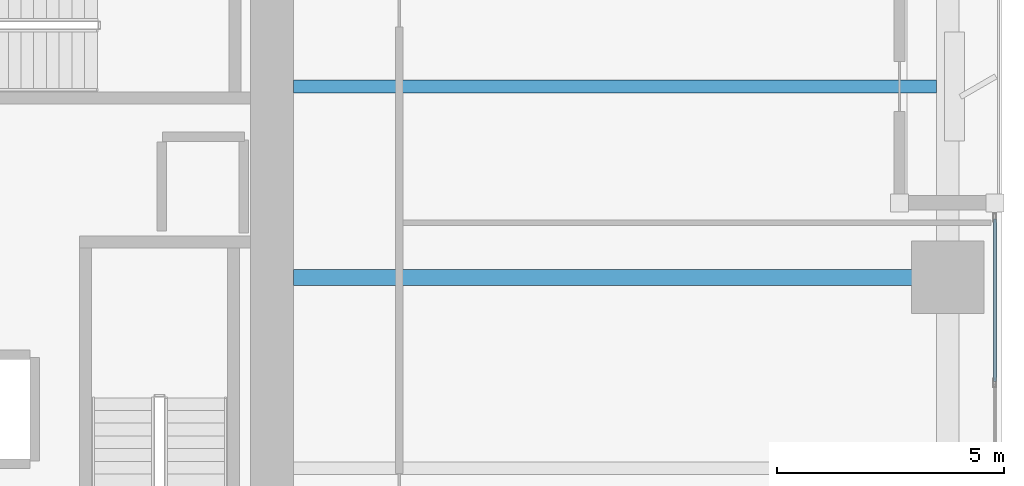
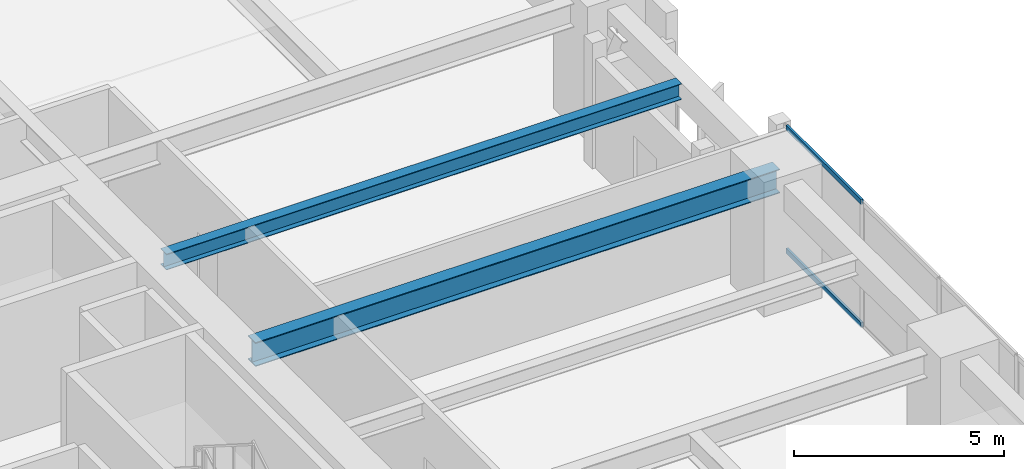
# One storey, part 9 of 28: 2 beams, 2 members, 1 element without a shape of its own.
"""IFC4 building model written with IfcOpenShell, lengths in metres."""

from ifc_helpers import new_model, si_unit, direction, frame, origin, origin_2d, place, context, subcontext, project, spatial, hollow_rectangle, i_section, extrude, material, layer, layer_set, material_profile, profile_set, type_object, element, aggregate, save


model = new_model("IFC4")

# Units and contexts
model_context = context("Model", 3, precision=1e-05, world=origin(), true_north=direction((0.0, 1.0)))
body_context = subcontext(model_context, "Body", "Model", "MODEL_VIEW")
ifc_project = project(units=[si_unit("LENGTHUNIT", "METRE"), si_unit("AREAUNIT", "SQUARE_METRE"), si_unit("VOLUMEUNIT", "CUBIC_METRE"), si_unit("PLANEANGLEUNIT", "RADIAN"), si_unit("MASSUNIT", "GRAM", prefix="KILO")], contexts=[model_context])

# Site, building, storey
site_placement = place(None, origin())
site = spatial("IfcSite", under=ifc_project, at=site_placement, CompositionType="ELEMENT")
building_placement = place(site_placement, origin())
building = spatial("IfcBuilding", under=site, at=building_placement, Name="Kiyonajd Concourse Tower", CompositionType="ELEMENT")
storey_placement = place(building_placement, frame((0.0, 0.0, 41.10009765625)))
storey = spatial("IfcBuildingStorey", under=building, at=storey_placement, Name="L11", CompositionType="ELEMENT", Elevation=41.10009765625)

# Beams
ifc_material_1 = material(Name="Steel ASTM A992 Grade 50", Category="steel")
ifc_material_profile_1 = material_profile(ifc_material_1, i_section(OverallWidth=0.280029296875, OverallDepth=0.462890625, WebThickness=0.0107421875, FlangeThickness=0.017333984375, at=origin_2d()), Name="W460X113")
ifc_profile_set_1 = profile_set([ifc_material_profile_1], Name="Steel ASTM A992 Grade 50")
beam_type_1 = type_object("IfcBeamType", Name="BM-JST-460A", PredefinedType="JOIST", material=ifc_profile_set_1)
beam_1_placement = place(storey_placement, frame((63.60009765625, 40.199951171875, 3.408447265625), z_axis=(1.0, 0.0, 0.0), x_axis=(0.0, 1.0, 0.0)))
element("IfcBeam", 1, at=beam_1_placement, inside=storey, type_object=beam_type_1, Name="L11 East Secondary Floor Joist", PredefinedType="JOIST", context=body_context, shape_type="SweptSolid", body=[
    extrude(i_section(OverallWidth=0.280029296875, OverallDepth=0.462890625, WebThickness=0.0107421875, FlangeThickness=0.017333984375, at=origin_2d()), origin(), (0.0, 0.0, 1.0), 14.14990234375),
])
ifc_material_profile_2 = material_profile(ifc_material_1, i_section(OverallWidth=0.35498046875, OverallDepth=0.695068359375, WebThickness=0.015380859375, FlangeThickness=0.02490234375, at=origin_2d()), Name="W690X217")
ifc_profile_set_2 = profile_set([ifc_material_profile_2], Name="Steel ASTM A992 Grade 50")
beam_type_2 = type_object("IfcBeamType", Name="BM-TWR-690", PredefinedType="BEAM", material=ifc_profile_set_2)
beam_2_placement = place(storey_placement, frame((63.60009765625, 36.0, 3.29248046875), z_axis=(1.0, 0.0, 0.0), x_axis=(0.0, 1.0, 0.0)))
element("IfcBeam", 2, at=beam_2_placement, inside=storey, type_object=beam_type_2, Name="L11 East Lease Girder", PredefinedType="BEAM", context=body_context, shape_type="SweptSolid", body=[
    extrude(i_section(OverallWidth=0.35498046875, OverallDepth=0.695068359375, WebThickness=0.015380859375, FlangeThickness=0.02490234375, at=origin_2d()), origin(), (0.0, 0.0, 1.0), 14.39990234375),
])

# Curtain wall, members
ifc_material_2 = material(Name="Thermally Broken Anodised Aluminium", Category="aluminium")
ifc_layer = layer(ifc_material_2, 0.179931640625)
ifc_layer_set = layer_set([ifc_layer], Name="Thermally Broken Anodised Aluminium")
curtain_wall_type = type_object("IfcCurtainWallType", Name="CW-SYS-02", PredefinedType="NOTDEFINED", material=ifc_layer_set)
curtain_wall_placement = place(storey_placement, origin())
curtain_wall = element("IfcCurtainWall", 3, at=curtain_wall_placement, inside=storey, type_object=curtain_wall_type, Name="L11 Unitised Curtain Wall CW2", PredefinedType="NOTDEFINED")
ifc_material_profile_3 = material_profile(ifc_material_2, hollow_rectangle(XDim=0.06494140625, YDim=0.139892578125, WallThickness=0.00390625, at=origin_2d()), Name="TRAN-65x140")
ifc_profile_set_3 = profile_set([ifc_material_profile_3], Name="Thermally Broken Anodised Aluminium")
member_type = type_object("IfcMemberType", Name="MB-CW-TRAN1", PredefinedType="USERDEFINED", material=ifc_profile_set_3)
member_1_placement = place(storey_placement, frame((79.0400390625, 37.284912109375, 0.032470703125), z_axis=(0.0, -1.0, 0.0), x_axis=(1.0, 0.0, 0.0)))
member_1 = element("IfcMember", 4, at=member_1_placement, type_object=member_type, Name="CW2 transom 1.1", ObjectType="TRANSOM", PredefinedType="USERDEFINED", context=body_context, shape_type="SweptSolid", body=[
    extrude(hollow_rectangle(XDim=0.06494140625, YDim=0.139892578125, WallThickness=0.00390625, at=origin_2d()), origin(), (0.0, 0.0, 1.0), 3.57568359375),
])
member_2_placement = place(storey_placement, frame((79.0400390625, 37.284912109375, 3.607421875), z_axis=(0.0, -1.0, 0.0), x_axis=(1.0, 0.0, 0.0)))
member_2 = element("IfcMember", 5, at=member_2_placement, type_object=member_type, Name="CW2 transom 1.2", ObjectType="TRANSOM", PredefinedType="USERDEFINED", context=body_context, shape_type="SweptSolid", body=[
    extrude(hollow_rectangle(XDim=0.06494140625, YDim=0.139892578125, WallThickness=0.00390625, at=origin_2d()), origin(), (0.0, 0.0, 1.0), 3.57568359375),
])
aggregate(curtain_wall, [member_1, member_2])

save(model, "model.ifc")
